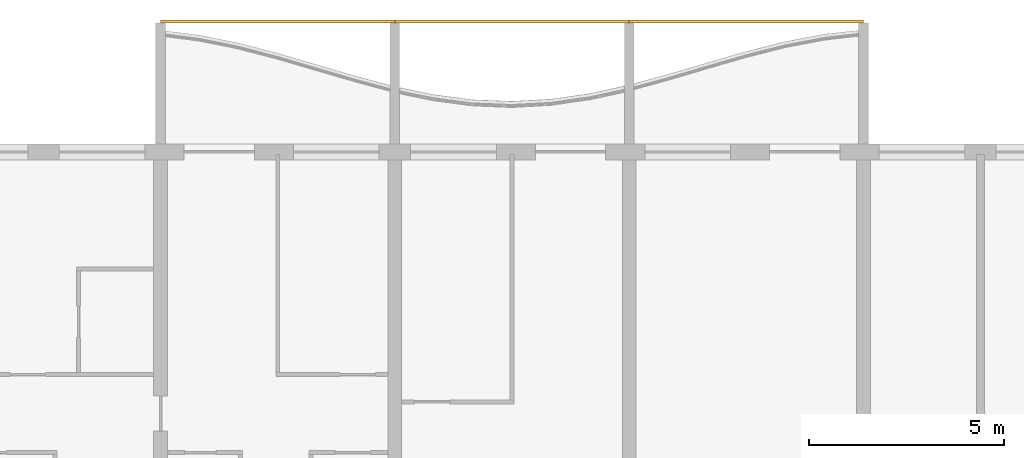
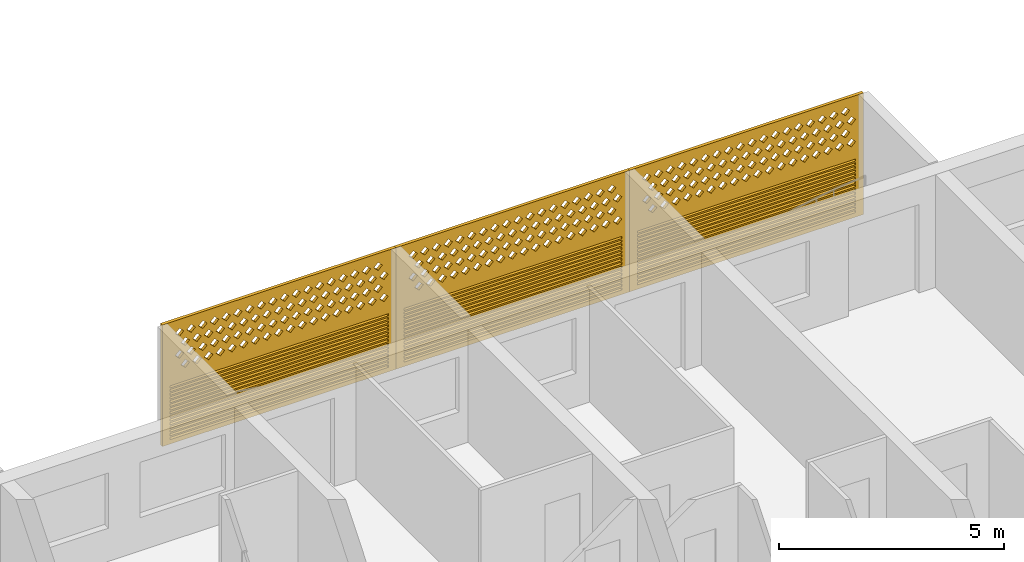
# One storey, part 23 of 27: 3 coverings.
"""IFC4 building model written with IfcOpenShell, lengths in metres."""

from ifc_helpers import new_model, si_unit, direction, frame, origin, place, context, subcontext, project, spatial, polyline, outline, extrude, source, transform, mapped, material, material_profile, profile_set, type_object, element, save


model = new_model("IFC4")

# Units and contexts
model_context = context("Model", 3, precision=1e-05, world=origin(), true_north=direction((0.0, 1.0)))
body_context = subcontext(model_context, "Body", "Model", "MODEL_VIEW")
ifc_project = project(units=[si_unit("LENGTHUNIT", "METRE"), si_unit("AREAUNIT", "SQUARE_METRE"), si_unit("VOLUMEUNIT", "CUBIC_METRE"), si_unit("PLANEANGLEUNIT", "RADIAN"), si_unit("MASSUNIT", "GRAM", prefix="KILO")], contexts=[model_context])

# Site, building, storey
site_placement = place(None, origin())
site = spatial("IfcSite", under=ifc_project, at=site_placement, CompositionType="ELEMENT")
building_placement = place(site_placement, origin())
building = spatial("IfcBuilding", under=site, at=building_placement, Name="Poui Terraces", CompositionType="ELEMENT")
storey_placement = place(building_placement, frame((0.0, 0.0, 76.199951171875)))
storey = spatial("IfcBuildingStorey", under=building, at=storey_placement, Name="L20", CompositionType="ELEMENT", Elevation=76.199951171875)

# Coverings
ifc_material = material(Name="Terracotta screen", Category="masonry")
ifc_material_profile = material_profile(ifc_material, outline(polyline([(-3.0, -1.64990234375), (3.0, -1.64990234375), (3.0, 1.64990234375), (-3.0, 1.64990234375), (-3.0, -1.64990234375)]), holes=[polyline([(-2.800048828125, 0.39990234375), (-2.68994140625, 0.2900390625), (-2.580078125, 0.39990234375), (-2.68994140625, 0.510009765625), (-2.800048828125, 0.39990234375)]), polyline([(-2.5, 0.39990234375), (-2.389892578125, 0.2900390625), (-2.280029296875, 0.39990234375), (-2.389892578125, 0.510009765625), (-2.5, 0.39990234375)]), polyline([(-2.199951171875, 0.39990234375), (-2.090087890625, 0.2900390625), (-1.97998046875, 0.39990234375), (-2.090087890625, 0.510009765625), (-2.199951171875, 0.39990234375)]), polyline([(-1.89990234375, 0.39990234375), (-1.7900390625, 0.2900390625), (-1.679931640625, 0.39990234375), (-1.7900390625, 0.510009765625), (-1.89990234375, 0.39990234375)]), polyline([(-1.60009765625, 0.39990234375), (-1.489990234375, 0.2900390625), (-1.3798828125, 0.39990234375), (-1.489990234375, 0.510009765625), (-1.60009765625, 0.39990234375)]), polyline([(-1.300048828125, 0.39990234375), (-1.18994140625, 0.2900390625), (-1.080078125, 0.39990234375), (-1.18994140625, 0.510009765625), (-1.300048828125, 0.39990234375)]), polyline([(-1.0, 0.39990234375), (-0.889892578125, 0.2900390625), (-0.780029296875, 0.39990234375), (-0.889892578125, 0.510009765625), (-1.0, 0.39990234375)]), polyline([(-0.699951171875, 0.39990234375), (-0.590087890625, 0.2900390625), (-0.47998046875, 0.39990234375), (-0.590087890625, 0.510009765625), (-0.699951171875, 0.39990234375)]), polyline([(-0.39990234375, 0.39990234375), (-0.2900390625, 0.2900390625), (-0.179931640625, 0.39990234375), (-0.2900390625, 0.510009765625), (-0.39990234375, 0.39990234375)]), polyline([(-0.10009765625, 0.39990234375), (0.010009765625, 0.2900390625), (0.1201171875, 0.39990234375), (0.010009765625, 0.510009765625), (-0.10009765625, 0.39990234375)]), polyline([(0.199951171875, 0.39990234375), (0.31005859375, 0.2900390625), (0.419921875, 0.39990234375), (0.31005859375, 0.510009765625), (0.199951171875, 0.39990234375)]), polyline([(0.5, 0.39990234375), (0.610107421875, 0.2900390625), (0.719970703125, 0.39990234375), (0.610107421875, 0.510009765625), (0.5, 0.39990234375)]), polyline([(0.800048828125, 0.39990234375), (0.909912109375, 0.2900390625), (1.02001953125, 0.39990234375), (0.909912109375, 0.510009765625), (0.800048828125, 0.39990234375)]), polyline([(1.10009765625, 0.39990234375), (1.2099609375, 0.2900390625), (1.320068359375, 0.39990234375), (1.2099609375, 0.510009765625), (1.10009765625, 0.39990234375)]), polyline([(1.39990234375, 0.39990234375), (1.510009765625, 0.2900390625), (1.6201171875, 0.39990234375), (1.510009765625, 0.510009765625), (1.39990234375, 0.39990234375)]), polyline([(1.699951171875, 0.39990234375), (1.81005859375, 0.2900390625), (1.919921875, 0.39990234375), (1.81005859375, 0.510009765625), (1.699951171875, 0.39990234375)]), polyline([(2.0, 0.39990234375), (2.110107421875, 0.2900390625), (2.219970703125, 0.39990234375), (2.110107421875, 0.510009765625), (2.0, 0.39990234375)]), polyline([(2.300048828125, 0.39990234375), (2.409912109375, 0.2900390625), (2.52001953125, 0.39990234375), (2.409912109375, 0.510009765625), (2.300048828125, 0.39990234375)]), polyline([(-2.64990234375, 0.699951171875), (-2.5400390625, 0.590087890625), (-2.429931640625, 0.699951171875), (-2.5400390625, 0.81005859375), (-2.64990234375, 0.699951171875)]), polyline([(-2.35009765625, 0.699951171875), (-2.239990234375, 0.590087890625), (-2.1298828125, 0.699951171875), (-2.239990234375, 0.81005859375), (-2.35009765625, 0.699951171875)]), polyline([(-2.050048828125, 0.699951171875), (-1.93994140625, 0.590087890625), (-1.830078125, 0.699951171875), (-1.93994140625, 0.81005859375), (-2.050048828125, 0.699951171875)]), polyline([(-1.75, 0.699951171875), (-1.639892578125, 0.590087890625), (-1.530029296875, 0.699951171875), (-1.639892578125, 0.81005859375), (-1.75, 0.699951171875)]), polyline([(-1.449951171875, 0.699951171875), (-1.340087890625, 0.590087890625), (-1.22998046875, 0.699951171875), (-1.340087890625, 0.81005859375), (-1.449951171875, 0.699951171875)]), polyline([(-1.14990234375, 0.699951171875), (-1.0400390625, 0.590087890625), (-0.929931640625, 0.699951171875), (-1.0400390625, 0.81005859375), (-1.14990234375, 0.699951171875)]), polyline([(-0.85009765625, 0.699951171875), (-0.739990234375, 0.590087890625), (-0.6298828125, 0.699951171875), (-0.739990234375, 0.81005859375), (-0.85009765625, 0.699951171875)]), polyline([(-0.550048828125, 0.699951171875), (-0.43994140625, 0.590087890625), (-0.330078125, 0.699951171875), (-0.43994140625, 0.81005859375), (-0.550048828125, 0.699951171875)]), polyline([(-0.25, 0.699951171875), (-0.139892578125, 0.590087890625), (-0.030029296875, 0.699951171875), (-0.139892578125, 0.81005859375), (-0.25, 0.699951171875)]), polyline([(0.050048828125, 0.699951171875), (0.159912109375, 0.590087890625), (0.27001953125, 0.699951171875), (0.159912109375, 0.81005859375), (0.050048828125, 0.699951171875)]), polyline([(0.35009765625, 0.699951171875), (0.4599609375, 0.590087890625), (0.570068359375, 0.699951171875), (0.4599609375, 0.81005859375), (0.35009765625, 0.699951171875)]), polyline([(0.64990234375, 0.699951171875), (0.760009765625, 0.590087890625), (0.8701171875, 0.699951171875), (0.760009765625, 0.81005859375), (0.64990234375, 0.699951171875)]), polyline([(0.949951171875, 0.699951171875), (1.06005859375, 0.590087890625), (1.169921875, 0.699951171875), (1.06005859375, 0.81005859375), (0.949951171875, 0.699951171875)]), polyline([(1.25, 0.699951171875), (1.360107421875, 0.590087890625), (1.469970703125, 0.699951171875), (1.360107421875, 0.81005859375), (1.25, 0.699951171875)]), polyline([(1.550048828125, 0.699951171875), (1.659912109375, 0.590087890625), (1.77001953125, 0.699951171875), (1.659912109375, 0.81005859375), (1.550048828125, 0.699951171875)]), polyline([(1.85009765625, 0.699951171875), (1.9599609375, 0.590087890625), (2.070068359375, 0.699951171875), (1.9599609375, 0.81005859375), (1.85009765625, 0.699951171875)]), polyline([(2.14990234375, 0.699951171875), (2.260009765625, 0.590087890625), (2.3701171875, 0.699951171875), (2.260009765625, 0.81005859375), (2.14990234375, 0.699951171875)]), polyline([(2.449951171875, 0.699951171875), (2.56005859375, 0.590087890625), (2.669921875, 0.699951171875), (2.56005859375, 0.81005859375), (2.449951171875, 0.699951171875)]), polyline([(-2.800048828125, 1.0), (-2.68994140625, 0.889892578125), (-2.580078125, 1.0), (-2.68994140625, 1.110107421875), (-2.800048828125, 1.0)]), polyline([(-2.5, 1.0), (-2.389892578125, 0.889892578125), (-2.280029296875, 1.0), (-2.389892578125, 1.110107421875), (-2.5, 1.0)]), polyline([(-2.199951171875, 1.0), (-2.090087890625, 0.889892578125), (-1.97998046875, 1.0), (-2.090087890625, 1.110107421875), (-2.199951171875, 1.0)]), polyline([(-1.89990234375, 1.0), (-1.7900390625, 0.889892578125), (-1.679931640625, 1.0), (-1.7900390625, 1.110107421875), (-1.89990234375, 1.0)]), polyline([(-1.60009765625, 1.0), (-1.489990234375, 0.889892578125), (-1.3798828125, 1.0), (-1.489990234375, 1.110107421875), (-1.60009765625, 1.0)]), polyline([(-1.300048828125, 1.0), (-1.18994140625, 0.889892578125), (-1.080078125, 1.0), (-1.18994140625, 1.110107421875), (-1.300048828125, 1.0)]), polyline([(-1.0, 1.0), (-0.889892578125, 0.889892578125), (-0.780029296875, 1.0), (-0.889892578125, 1.110107421875), (-1.0, 1.0)]), polyline([(-0.699951171875, 1.0), (-0.590087890625, 0.889892578125), (-0.47998046875, 1.0), (-0.590087890625, 1.110107421875), (-0.699951171875, 1.0)]), polyline([(-0.39990234375, 1.0), (-0.2900390625, 0.889892578125), (-0.179931640625, 1.0), (-0.2900390625, 1.110107421875), (-0.39990234375, 1.0)]), polyline([(-0.10009765625, 1.0), (0.010009765625, 0.889892578125), (0.1201171875, 1.0), (0.010009765625, 1.110107421875), (-0.10009765625, 1.0)]), polyline([(0.199951171875, 1.0), (0.31005859375, 0.889892578125), (0.419921875, 1.0), (0.31005859375, 1.110107421875), (0.199951171875, 1.0)]), polyline([(0.5, 1.0), (0.610107421875, 0.889892578125), (0.719970703125, 1.0), (0.610107421875, 1.110107421875), (0.5, 1.0)]), polyline([(0.800048828125, 1.0), (0.909912109375, 0.889892578125), (1.02001953125, 1.0), (0.909912109375, 1.110107421875), (0.800048828125, 1.0)]), polyline([(1.10009765625, 1.0), (1.2099609375, 0.889892578125), (1.320068359375, 1.0), (1.2099609375, 1.110107421875), (1.10009765625, 1.0)]), polyline([(1.39990234375, 1.0), (1.510009765625, 0.889892578125), (1.6201171875, 1.0), (1.510009765625, 1.110107421875), (1.39990234375, 1.0)]), polyline([(1.699951171875, 1.0), (1.81005859375, 0.889892578125), (1.919921875, 1.0), (1.81005859375, 1.110107421875), (1.699951171875, 1.0)]), polyline([(2.0, 1.0), (2.110107421875, 0.889892578125), (2.219970703125, 1.0), (2.110107421875, 1.110107421875), (2.0, 1.0)]), polyline([(2.300048828125, 1.0), (2.409912109375, 0.889892578125), (2.52001953125, 1.0), (2.409912109375, 1.110107421875), (2.300048828125, 1.0)]), polyline([(-2.64990234375, 1.300048828125), (-2.5400390625, 1.18994140625), (-2.429931640625, 1.300048828125), (-2.5400390625, 1.409912109375), (-2.64990234375, 1.300048828125)]), polyline([(-2.35009765625, 1.300048828125), (-2.239990234375, 1.18994140625), (-2.1298828125, 1.300048828125), (-2.239990234375, 1.409912109375), (-2.35009765625, 1.300048828125)]), polyline([(-2.050048828125, 1.300048828125), (-1.93994140625, 1.18994140625), (-1.830078125, 1.300048828125), (-1.93994140625, 1.409912109375), (-2.050048828125, 1.300048828125)]), polyline([(-1.75, 1.300048828125), (-1.639892578125, 1.18994140625), (-1.530029296875, 1.300048828125), (-1.639892578125, 1.409912109375), (-1.75, 1.300048828125)]), polyline([(-1.449951171875, 1.300048828125), (-1.340087890625, 1.18994140625), (-1.22998046875, 1.300048828125), (-1.340087890625, 1.409912109375), (-1.449951171875, 1.300048828125)]), polyline([(-1.14990234375, 1.300048828125), (-1.0400390625, 1.18994140625), (-0.929931640625, 1.300048828125), (-1.0400390625, 1.409912109375), (-1.14990234375, 1.300048828125)]), polyline([(-0.85009765625, 1.300048828125), (-0.739990234375, 1.18994140625), (-0.6298828125, 1.300048828125), (-0.739990234375, 1.409912109375), (-0.85009765625, 1.300048828125)]), polyline([(-0.550048828125, 1.300048828125), (-0.43994140625, 1.18994140625), (-0.330078125, 1.300048828125), (-0.43994140625, 1.409912109375), (-0.550048828125, 1.300048828125)]), polyline([(-0.25, 1.300048828125), (-0.139892578125, 1.18994140625), (-0.030029296875, 1.300048828125), (-0.139892578125, 1.409912109375), (-0.25, 1.300048828125)]), polyline([(0.050048828125, 1.300048828125), (0.159912109375, 1.18994140625), (0.27001953125, 1.300048828125), (0.159912109375, 1.409912109375), (0.050048828125, 1.300048828125)]), polyline([(0.35009765625, 1.300048828125), (0.4599609375, 1.18994140625), (0.570068359375, 1.300048828125), (0.4599609375, 1.409912109375), (0.35009765625, 1.300048828125)]), polyline([(0.64990234375, 1.300048828125), (0.760009765625, 1.18994140625), (0.8701171875, 1.300048828125), (0.760009765625, 1.409912109375), (0.64990234375, 1.300048828125)]), polyline([(0.949951171875, 1.300048828125), (1.06005859375, 1.18994140625), (1.169921875, 1.300048828125), (1.06005859375, 1.409912109375), (0.949951171875, 1.300048828125)]), polyline([(1.25, 1.300048828125), (1.360107421875, 1.18994140625), (1.469970703125, 1.300048828125), (1.360107421875, 1.409912109375), (1.25, 1.300048828125)]), polyline([(1.550048828125, 1.300048828125), (1.659912109375, 1.18994140625), (1.77001953125, 1.300048828125), (1.659912109375, 1.409912109375), (1.550048828125, 1.300048828125)]), polyline([(1.85009765625, 1.300048828125), (1.9599609375, 1.18994140625), (2.070068359375, 1.300048828125), (1.9599609375, 1.409912109375), (1.85009765625, 1.300048828125)]), polyline([(2.14990234375, 1.300048828125), (2.260009765625, 1.18994140625), (2.3701171875, 1.300048828125), (2.260009765625, 1.409912109375), (2.14990234375, 1.300048828125)]), polyline([(2.449951171875, 1.300048828125), (2.56005859375, 1.18994140625), (2.669921875, 1.300048828125), (2.56005859375, 1.409912109375), (2.449951171875, 1.300048828125)]), polyline([(-2.800048828125, -1.530029296875), (2.800048828125, -1.530029296875), (2.800048828125, -1.469970703125), (-2.800048828125, -1.469970703125), (-2.800048828125, -1.530029296875)]), polyline([(-2.800048828125, -1.429931640625), (2.800048828125, -1.429931640625), (2.800048828125, -1.3701171875), (-2.800048828125, -1.3701171875), (-2.800048828125, -1.429931640625)]), polyline([(-2.800048828125, -1.330078125), (2.800048828125, -1.330078125), (2.800048828125, -1.27001953125), (-2.800048828125, -1.27001953125), (-2.800048828125, -1.330078125)]), polyline([(-2.800048828125, -1.22998046875), (2.800048828125, -1.22998046875), (2.800048828125, -1.169921875), (-2.800048828125, -1.169921875), (-2.800048828125, -1.22998046875)]), polyline([(-2.800048828125, -1.1298828125), (2.800048828125, -1.1298828125), (2.800048828125, -1.070068359375), (-2.800048828125, -1.070068359375), (-2.800048828125, -1.1298828125)]), polyline([(-2.800048828125, -1.030029296875), (2.800048828125, -1.030029296875), (2.800048828125, -0.969970703125), (-2.800048828125, -0.969970703125), (-2.800048828125, -1.030029296875)]), polyline([(-2.800048828125, -0.929931640625), (2.800048828125, -0.929931640625), (2.800048828125, -0.8701171875), (-2.800048828125, -0.8701171875), (-2.800048828125, -0.929931640625)]), polyline([(-2.800048828125, -0.830078125), (2.800048828125, -0.830078125), (2.800048828125, -0.77001953125), (-2.800048828125, -0.77001953125), (-2.800048828125, -0.830078125)]), polyline([(-2.800048828125, -0.72998046875), (2.800048828125, -0.72998046875), (2.800048828125, -0.669921875), (-2.800048828125, -0.669921875), (-2.800048828125, -0.72998046875)]), polyline([(-2.800048828125, -0.6298828125), (2.800048828125, -0.6298828125), (2.800048828125, -0.570068359375), (-2.800048828125, -0.570068359375), (-2.800048828125, -0.6298828125)]), polyline([(-2.800048828125, -0.530029296875), (2.800048828125, -0.530029296875), (2.800048828125, -0.469970703125), (-2.800048828125, -0.469970703125), (-2.800048828125, -0.530029296875)]), polyline([(-2.800048828125, -0.429931640625), (2.800048828125, -0.429931640625), (2.800048828125, -0.3701171875), (-2.800048828125, -0.3701171875), (-2.800048828125, -0.429931640625)]), polyline([(-2.800048828125, -0.330078125), (2.800048828125, -0.330078125), (2.800048828125, -0.27001953125), (-2.800048828125, -0.27001953125), (-2.800048828125, -0.330078125)]), polyline([(-2.800048828125, -0.22998046875), (2.800048828125, -0.22998046875), (2.800048828125, -0.169921875), (-2.800048828125, -0.169921875), (-2.800048828125, -0.22998046875)]), polyline([(-2.800048828125, -0.1298828125), (2.800048828125, -0.1298828125), (2.800048828125, -0.070068359375), (-2.800048828125, -0.070068359375), (-2.800048828125, -0.1298828125)])]), Name="TERRACOTTA SCREEN AND JALOUSIE LOUVRE 6000X3300")
ifc_profile_set = profile_set([ifc_material_profile], Name="Terracotta screen")
covering_type = type_object("IfcCoveringType", Name="TERRACOTTA SCREEN AND JALOUSIE LOUVRE 6000X3300", PredefinedType="CLADDING", material=ifc_profile_set)
shared_shape = source(origin(), body_context, "Body", "SweptSolid", [
    extrude(outline(polyline([(-3.0, -1.64990234375), (3.0, -1.64990234375), (3.0, 1.64990234375), (-3.0, 1.64990234375), (-3.0, -1.64990234375)]), holes=[polyline([(-2.800048828125, 0.39990234375), (-2.68994140625, 0.2900390625), (-2.580078125, 0.39990234375), (-2.68994140625, 0.510009765625), (-2.800048828125, 0.39990234375)]), polyline([(-2.5, 0.39990234375), (-2.389892578125, 0.2900390625), (-2.280029296875, 0.39990234375), (-2.389892578125, 0.510009765625), (-2.5, 0.39990234375)]), polyline([(-2.199951171875, 0.39990234375), (-2.090087890625, 0.2900390625), (-1.97998046875, 0.39990234375), (-2.090087890625, 0.510009765625), (-2.199951171875, 0.39990234375)]), polyline([(-1.89990234375, 0.39990234375), (-1.7900390625, 0.2900390625), (-1.679931640625, 0.39990234375), (-1.7900390625, 0.510009765625), (-1.89990234375, 0.39990234375)]), polyline([(-1.60009765625, 0.39990234375), (-1.489990234375, 0.2900390625), (-1.3798828125, 0.39990234375), (-1.489990234375, 0.510009765625), (-1.60009765625, 0.39990234375)]), polyline([(-1.300048828125, 0.39990234375), (-1.18994140625, 0.2900390625), (-1.080078125, 0.39990234375), (-1.18994140625, 0.510009765625), (-1.300048828125, 0.39990234375)]), polyline([(-1.0, 0.39990234375), (-0.889892578125, 0.2900390625), (-0.780029296875, 0.39990234375), (-0.889892578125, 0.510009765625), (-1.0, 0.39990234375)]), polyline([(-0.699951171875, 0.39990234375), (-0.590087890625, 0.2900390625), (-0.47998046875, 0.39990234375), (-0.590087890625, 0.510009765625), (-0.699951171875, 0.39990234375)]), polyline([(-0.39990234375, 0.39990234375), (-0.2900390625, 0.2900390625), (-0.179931640625, 0.39990234375), (-0.2900390625, 0.510009765625), (-0.39990234375, 0.39990234375)]), polyline([(-0.10009765625, 0.39990234375), (0.010009765625, 0.2900390625), (0.1201171875, 0.39990234375), (0.010009765625, 0.510009765625), (-0.10009765625, 0.39990234375)]), polyline([(0.199951171875, 0.39990234375), (0.31005859375, 0.2900390625), (0.419921875, 0.39990234375), (0.31005859375, 0.510009765625), (0.199951171875, 0.39990234375)]), polyline([(0.5, 0.39990234375), (0.610107421875, 0.2900390625), (0.719970703125, 0.39990234375), (0.610107421875, 0.510009765625), (0.5, 0.39990234375)]), polyline([(0.800048828125, 0.39990234375), (0.909912109375, 0.2900390625), (1.02001953125, 0.39990234375), (0.909912109375, 0.510009765625), (0.800048828125, 0.39990234375)]), polyline([(1.10009765625, 0.39990234375), (1.2099609375, 0.2900390625), (1.320068359375, 0.39990234375), (1.2099609375, 0.510009765625), (1.10009765625, 0.39990234375)]), polyline([(1.39990234375, 0.39990234375), (1.510009765625, 0.2900390625), (1.6201171875, 0.39990234375), (1.510009765625, 0.510009765625), (1.39990234375, 0.39990234375)]), polyline([(1.699951171875, 0.39990234375), (1.81005859375, 0.2900390625), (1.919921875, 0.39990234375), (1.81005859375, 0.510009765625), (1.699951171875, 0.39990234375)]), polyline([(2.0, 0.39990234375), (2.110107421875, 0.2900390625), (2.219970703125, 0.39990234375), (2.110107421875, 0.510009765625), (2.0, 0.39990234375)]), polyline([(2.300048828125, 0.39990234375), (2.409912109375, 0.2900390625), (2.52001953125, 0.39990234375), (2.409912109375, 0.510009765625), (2.300048828125, 0.39990234375)]), polyline([(-2.64990234375, 0.699951171875), (-2.5400390625, 0.590087890625), (-2.429931640625, 0.699951171875), (-2.5400390625, 0.81005859375), (-2.64990234375, 0.699951171875)]), polyline([(-2.35009765625, 0.699951171875), (-2.239990234375, 0.590087890625), (-2.1298828125, 0.699951171875), (-2.239990234375, 0.81005859375), (-2.35009765625, 0.699951171875)]), polyline([(-2.050048828125, 0.699951171875), (-1.93994140625, 0.590087890625), (-1.830078125, 0.699951171875), (-1.93994140625, 0.81005859375), (-2.050048828125, 0.699951171875)]), polyline([(-1.75, 0.699951171875), (-1.639892578125, 0.590087890625), (-1.530029296875, 0.699951171875), (-1.639892578125, 0.81005859375), (-1.75, 0.699951171875)]), polyline([(-1.449951171875, 0.699951171875), (-1.340087890625, 0.590087890625), (-1.22998046875, 0.699951171875), (-1.340087890625, 0.81005859375), (-1.449951171875, 0.699951171875)]), polyline([(-1.14990234375, 0.699951171875), (-1.0400390625, 0.590087890625), (-0.929931640625, 0.699951171875), (-1.0400390625, 0.81005859375), (-1.14990234375, 0.699951171875)]), polyline([(-0.85009765625, 0.699951171875), (-0.739990234375, 0.590087890625), (-0.6298828125, 0.699951171875), (-0.739990234375, 0.81005859375), (-0.85009765625, 0.699951171875)]), polyline([(-0.550048828125, 0.699951171875), (-0.43994140625, 0.590087890625), (-0.330078125, 0.699951171875), (-0.43994140625, 0.81005859375), (-0.550048828125, 0.699951171875)]), polyline([(-0.25, 0.699951171875), (-0.139892578125, 0.590087890625), (-0.030029296875, 0.699951171875), (-0.139892578125, 0.81005859375), (-0.25, 0.699951171875)]), polyline([(0.050048828125, 0.699951171875), (0.159912109375, 0.590087890625), (0.27001953125, 0.699951171875), (0.159912109375, 0.81005859375), (0.050048828125, 0.699951171875)]), polyline([(0.35009765625, 0.699951171875), (0.4599609375, 0.590087890625), (0.570068359375, 0.699951171875), (0.4599609375, 0.81005859375), (0.35009765625, 0.699951171875)]), polyline([(0.64990234375, 0.699951171875), (0.760009765625, 0.590087890625), (0.8701171875, 0.699951171875), (0.760009765625, 0.81005859375), (0.64990234375, 0.699951171875)]), polyline([(0.949951171875, 0.699951171875), (1.06005859375, 0.590087890625), (1.169921875, 0.699951171875), (1.06005859375, 0.81005859375), (0.949951171875, 0.699951171875)]), polyline([(1.25, 0.699951171875), (1.360107421875, 0.590087890625), (1.469970703125, 0.699951171875), (1.360107421875, 0.81005859375), (1.25, 0.699951171875)]), polyline([(1.550048828125, 0.699951171875), (1.659912109375, 0.590087890625), (1.77001953125, 0.699951171875), (1.659912109375, 0.81005859375), (1.550048828125, 0.699951171875)]), polyline([(1.85009765625, 0.699951171875), (1.9599609375, 0.590087890625), (2.070068359375, 0.699951171875), (1.9599609375, 0.81005859375), (1.85009765625, 0.699951171875)]), polyline([(2.14990234375, 0.699951171875), (2.260009765625, 0.590087890625), (2.3701171875, 0.699951171875), (2.260009765625, 0.81005859375), (2.14990234375, 0.699951171875)]), polyline([(2.449951171875, 0.699951171875), (2.56005859375, 0.590087890625), (2.669921875, 0.699951171875), (2.56005859375, 0.81005859375), (2.449951171875, 0.699951171875)]), polyline([(-2.800048828125, 1.0), (-2.68994140625, 0.889892578125), (-2.580078125, 1.0), (-2.68994140625, 1.110107421875), (-2.800048828125, 1.0)]), polyline([(-2.5, 1.0), (-2.389892578125, 0.889892578125), (-2.280029296875, 1.0), (-2.389892578125, 1.110107421875), (-2.5, 1.0)]), polyline([(-2.199951171875, 1.0), (-2.090087890625, 0.889892578125), (-1.97998046875, 1.0), (-2.090087890625, 1.110107421875), (-2.199951171875, 1.0)]), polyline([(-1.89990234375, 1.0), (-1.7900390625, 0.889892578125), (-1.679931640625, 1.0), (-1.7900390625, 1.110107421875), (-1.89990234375, 1.0)]), polyline([(-1.60009765625, 1.0), (-1.489990234375, 0.889892578125), (-1.3798828125, 1.0), (-1.489990234375, 1.110107421875), (-1.60009765625, 1.0)]), polyline([(-1.300048828125, 1.0), (-1.18994140625, 0.889892578125), (-1.080078125, 1.0), (-1.18994140625, 1.110107421875), (-1.300048828125, 1.0)]), polyline([(-1.0, 1.0), (-0.889892578125, 0.889892578125), (-0.780029296875, 1.0), (-0.889892578125, 1.110107421875), (-1.0, 1.0)]), polyline([(-0.699951171875, 1.0), (-0.590087890625, 0.889892578125), (-0.47998046875, 1.0), (-0.590087890625, 1.110107421875), (-0.699951171875, 1.0)]), polyline([(-0.39990234375, 1.0), (-0.2900390625, 0.889892578125), (-0.179931640625, 1.0), (-0.2900390625, 1.110107421875), (-0.39990234375, 1.0)]), polyline([(-0.10009765625, 1.0), (0.010009765625, 0.889892578125), (0.1201171875, 1.0), (0.010009765625, 1.110107421875), (-0.10009765625, 1.0)]), polyline([(0.199951171875, 1.0), (0.31005859375, 0.889892578125), (0.419921875, 1.0), (0.31005859375, 1.110107421875), (0.199951171875, 1.0)]), polyline([(0.5, 1.0), (0.610107421875, 0.889892578125), (0.719970703125, 1.0), (0.610107421875, 1.110107421875), (0.5, 1.0)]), polyline([(0.800048828125, 1.0), (0.909912109375, 0.889892578125), (1.02001953125, 1.0), (0.909912109375, 1.110107421875), (0.800048828125, 1.0)]), polyline([(1.10009765625, 1.0), (1.2099609375, 0.889892578125), (1.320068359375, 1.0), (1.2099609375, 1.110107421875), (1.10009765625, 1.0)]), polyline([(1.39990234375, 1.0), (1.510009765625, 0.889892578125), (1.6201171875, 1.0), (1.510009765625, 1.110107421875), (1.39990234375, 1.0)]), polyline([(1.699951171875, 1.0), (1.81005859375, 0.889892578125), (1.919921875, 1.0), (1.81005859375, 1.110107421875), (1.699951171875, 1.0)]), polyline([(2.0, 1.0), (2.110107421875, 0.889892578125), (2.219970703125, 1.0), (2.110107421875, 1.110107421875), (2.0, 1.0)]), polyline([(2.300048828125, 1.0), (2.409912109375, 0.889892578125), (2.52001953125, 1.0), (2.409912109375, 1.110107421875), (2.300048828125, 1.0)]), polyline([(-2.64990234375, 1.300048828125), (-2.5400390625, 1.18994140625), (-2.429931640625, 1.300048828125), (-2.5400390625, 1.409912109375), (-2.64990234375, 1.300048828125)]), polyline([(-2.35009765625, 1.300048828125), (-2.239990234375, 1.18994140625), (-2.1298828125, 1.300048828125), (-2.239990234375, 1.409912109375), (-2.35009765625, 1.300048828125)]), polyline([(-2.050048828125, 1.300048828125), (-1.93994140625, 1.18994140625), (-1.830078125, 1.300048828125), (-1.93994140625, 1.409912109375), (-2.050048828125, 1.300048828125)]), polyline([(-1.75, 1.300048828125), (-1.639892578125, 1.18994140625), (-1.530029296875, 1.300048828125), (-1.639892578125, 1.409912109375), (-1.75, 1.300048828125)]), polyline([(-1.449951171875, 1.300048828125), (-1.340087890625, 1.18994140625), (-1.22998046875, 1.300048828125), (-1.340087890625, 1.409912109375), (-1.449951171875, 1.300048828125)]), polyline([(-1.14990234375, 1.300048828125), (-1.0400390625, 1.18994140625), (-0.929931640625, 1.300048828125), (-1.0400390625, 1.409912109375), (-1.14990234375, 1.300048828125)]), polyline([(-0.85009765625, 1.300048828125), (-0.739990234375, 1.18994140625), (-0.6298828125, 1.300048828125), (-0.739990234375, 1.409912109375), (-0.85009765625, 1.300048828125)]), polyline([(-0.550048828125, 1.300048828125), (-0.43994140625, 1.18994140625), (-0.330078125, 1.300048828125), (-0.43994140625, 1.409912109375), (-0.550048828125, 1.300048828125)]), polyline([(-0.25, 1.300048828125), (-0.139892578125, 1.18994140625), (-0.030029296875, 1.300048828125), (-0.139892578125, 1.409912109375), (-0.25, 1.300048828125)]), polyline([(0.050048828125, 1.300048828125), (0.159912109375, 1.18994140625), (0.27001953125, 1.300048828125), (0.159912109375, 1.409912109375), (0.050048828125, 1.300048828125)]), polyline([(0.35009765625, 1.300048828125), (0.4599609375, 1.18994140625), (0.570068359375, 1.300048828125), (0.4599609375, 1.409912109375), (0.35009765625, 1.300048828125)]), polyline([(0.64990234375, 1.300048828125), (0.760009765625, 1.18994140625), (0.8701171875, 1.300048828125), (0.760009765625, 1.409912109375), (0.64990234375, 1.300048828125)]), polyline([(0.949951171875, 1.300048828125), (1.06005859375, 1.18994140625), (1.169921875, 1.300048828125), (1.06005859375, 1.409912109375), (0.949951171875, 1.300048828125)]), polyline([(1.25, 1.300048828125), (1.360107421875, 1.18994140625), (1.469970703125, 1.300048828125), (1.360107421875, 1.409912109375), (1.25, 1.300048828125)]), polyline([(1.550048828125, 1.300048828125), (1.659912109375, 1.18994140625), (1.77001953125, 1.300048828125), (1.659912109375, 1.409912109375), (1.550048828125, 1.300048828125)]), polyline([(1.85009765625, 1.300048828125), (1.9599609375, 1.18994140625), (2.070068359375, 1.300048828125), (1.9599609375, 1.409912109375), (1.85009765625, 1.300048828125)]), polyline([(2.14990234375, 1.300048828125), (2.260009765625, 1.18994140625), (2.3701171875, 1.300048828125), (2.260009765625, 1.409912109375), (2.14990234375, 1.300048828125)]), polyline([(2.449951171875, 1.300048828125), (2.56005859375, 1.18994140625), (2.669921875, 1.300048828125), (2.56005859375, 1.409912109375), (2.449951171875, 1.300048828125)]), polyline([(-2.800048828125, -1.530029296875), (2.800048828125, -1.530029296875), (2.800048828125, -1.469970703125), (-2.800048828125, -1.469970703125), (-2.800048828125, -1.530029296875)]), polyline([(-2.800048828125, -1.429931640625), (2.800048828125, -1.429931640625), (2.800048828125, -1.3701171875), (-2.800048828125, -1.3701171875), (-2.800048828125, -1.429931640625)]), polyline([(-2.800048828125, -1.330078125), (2.800048828125, -1.330078125), (2.800048828125, -1.27001953125), (-2.800048828125, -1.27001953125), (-2.800048828125, -1.330078125)]), polyline([(-2.800048828125, -1.22998046875), (2.800048828125, -1.22998046875), (2.800048828125, -1.169921875), (-2.800048828125, -1.169921875), (-2.800048828125, -1.22998046875)]), polyline([(-2.800048828125, -1.1298828125), (2.800048828125, -1.1298828125), (2.800048828125, -1.070068359375), (-2.800048828125, -1.070068359375), (-2.800048828125, -1.1298828125)]), polyline([(-2.800048828125, -1.030029296875), (2.800048828125, -1.030029296875), (2.800048828125, -0.969970703125), (-2.800048828125, -0.969970703125), (-2.800048828125, -1.030029296875)]), polyline([(-2.800048828125, -0.929931640625), (2.800048828125, -0.929931640625), (2.800048828125, -0.8701171875), (-2.800048828125, -0.8701171875), (-2.800048828125, -0.929931640625)]), polyline([(-2.800048828125, -0.830078125), (2.800048828125, -0.830078125), (2.800048828125, -0.77001953125), (-2.800048828125, -0.77001953125), (-2.800048828125, -0.830078125)]), polyline([(-2.800048828125, -0.72998046875), (2.800048828125, -0.72998046875), (2.800048828125, -0.669921875), (-2.800048828125, -0.669921875), (-2.800048828125, -0.72998046875)]), polyline([(-2.800048828125, -0.6298828125), (2.800048828125, -0.6298828125), (2.800048828125, -0.570068359375), (-2.800048828125, -0.570068359375), (-2.800048828125, -0.6298828125)]), polyline([(-2.800048828125, -0.530029296875), (2.800048828125, -0.530029296875), (2.800048828125, -0.469970703125), (-2.800048828125, -0.469970703125), (-2.800048828125, -0.530029296875)]), polyline([(-2.800048828125, -0.429931640625), (2.800048828125, -0.429931640625), (2.800048828125, -0.3701171875), (-2.800048828125, -0.3701171875), (-2.800048828125, -0.429931640625)]), polyline([(-2.800048828125, -0.330078125), (2.800048828125, -0.330078125), (2.800048828125, -0.27001953125), (-2.800048828125, -0.27001953125), (-2.800048828125, -0.330078125)]), polyline([(-2.800048828125, -0.22998046875), (2.800048828125, -0.22998046875), (2.800048828125, -0.169921875), (-2.800048828125, -0.169921875), (-2.800048828125, -0.22998046875)]), polyline([(-2.800048828125, -0.1298828125), (2.800048828125, -0.1298828125), (2.800048828125, -0.070068359375), (-2.800048828125, -0.070068359375), (-2.800048828125, -0.1298828125)])]), origin(), (0.0, 0.0, 1.0), 0.080078125),
])
for number, where, z_axis, x_axis, name in (
    (1, (45.0, 46.89990234375, 1.449951171875), (0.0, 1.0, 0.0), (-1.0, 0.0, 0.0), "SOLAR SCREEN AND JALOUSIE LOUVRE"),
    (2, (51.0, 46.89990234375, 1.449951171875), (0.0, 1.0, 0.0), (-1.0, 0.0, 0.0), "SOLAR SCREEN AND JALOUSIE LOUVRE"),
    (3, (57.0, 46.89990234375, 1.449951171875), (0.0, 1.0, 0.0), (-1.0, 0.0, 0.0), "SOLAR SCREEN AND JALOUSIE LOUVRE"),
):
    element("IfcCovering", number, at=place(storey_placement, frame(where, z_axis=z_axis, x_axis=x_axis)), inside=storey, type_object=covering_type, Name=name, PredefinedType="CLADDING", context=body_context, shape_type="MappedRepresentation", body=[
        mapped(shared_shape, transform((0.0, 0.0, 0.0))),
    ])

save(model, "model.ifc")
